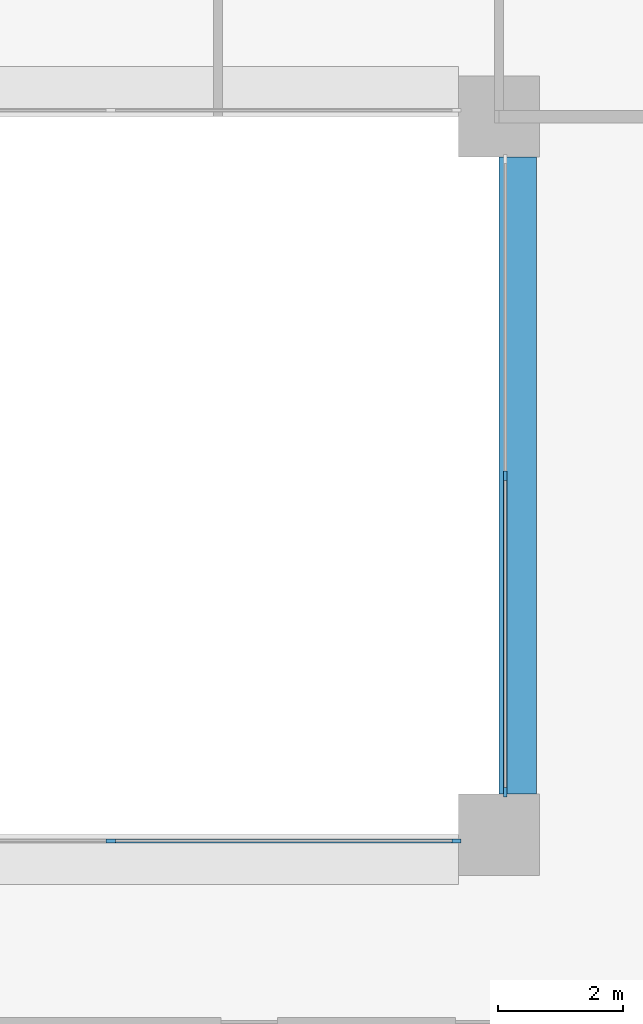
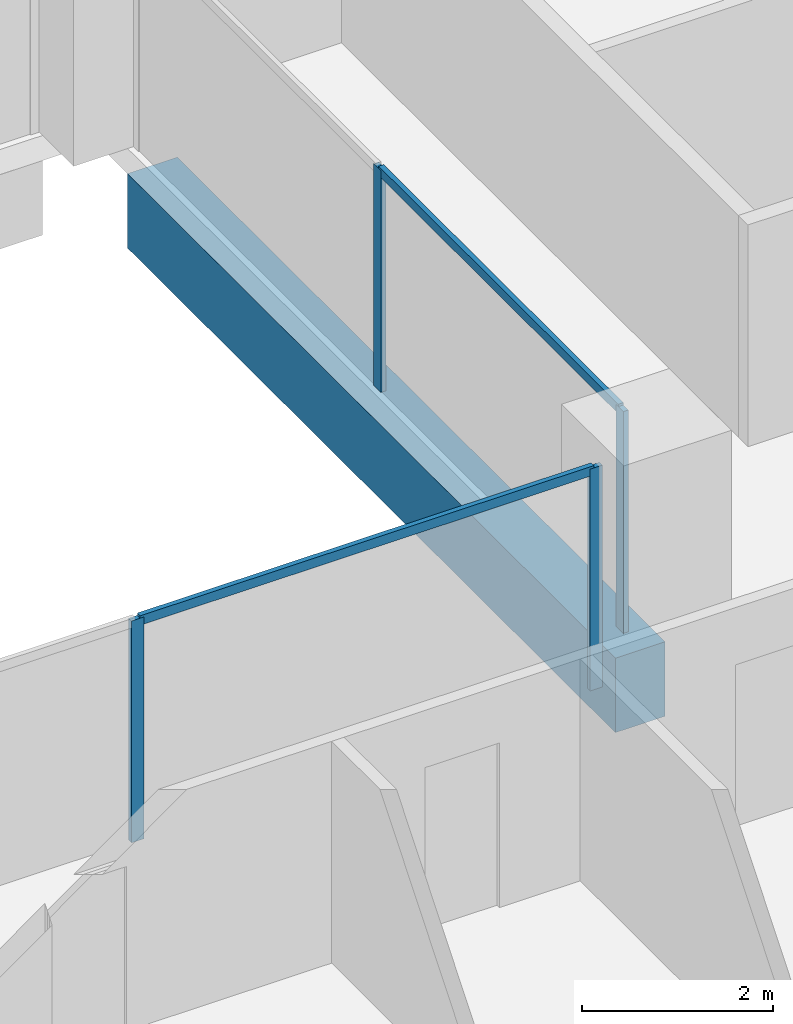
# One storey, part 4 of 17: 6 members, 1 beam, 2 elements without a shape of their own.
"""IFC4 building model written with IfcOpenShell, lengths in metres."""

from ifc_helpers import new_model, si_unit, direction, frame, origin, origin_2d, place, context, subcontext, project, spatial, rectangle, extrude, material, layer, layer_set, material_profile, profile_set, type_object, element, aggregate, save


model = new_model("IFC4")

# Units and contexts
model_context = context("Model", 3, precision=1e-05, world=origin(), true_north=direction((0.0, 1.0)))
body_context = subcontext(model_context, "Body", "Model", "MODEL_VIEW")
ifc_project = project(units=[si_unit("LENGTHUNIT", "METRE"), si_unit("AREAUNIT", "SQUARE_METRE"), si_unit("VOLUMEUNIT", "CUBIC_METRE"), si_unit("PLANEANGLEUNIT", "RADIAN"), si_unit("MASSUNIT", "GRAM", prefix="KILO")], contexts=[model_context])

# Site, building, storey
site_placement = place(None, origin())
site = spatial("IfcSite", under=ifc_project, at=site_placement, CompositionType="ELEMENT")
building_placement = place(site_placement, origin())
building = spatial("IfcBuilding", under=site, at=building_placement, Name="Brigalow Station Residences", CompositionType="ELEMENT")
storey_placement = place(building_placement, frame((0.0, 0.0, 96.14990234375)))
storey = spatial("IfcBuildingStorey", under=building, at=storey_placement, Name="L27", CompositionType="ELEMENT", Elevation=96.14990234375)

# Beam
ifc_material_1 = material(Name="Concrete C65", Category="concrete")
ifc_material_profile_1 = material_profile(ifc_material_1, rectangle(XDim=0.60009765625, YDim=0.949951171875, at=origin_2d()), Name="RC600x950")
ifc_profile_set_1 = profile_set([ifc_material_profile_1], Name="Concrete C65")
beam_type = type_object("IfcBeamType", Name="ATRIUM EDGE GIRDER 600x950 C65", PredefinedType="BEAM", material=ifc_profile_set_1)
beam_placement = place(storey_placement, frame((45.300048828125, 24.64990234375, -0.794921875), z_axis=(0.0, 1.0, 0.0), x_axis=(-1.0, 0.0, 0.0)))
element("IfcBeam", 1, at=beam_placement, inside=storey, type_object=beam_type, Name="ATRIUM EDGE GIRDER 5 L27", PredefinedType="BEAM", context=body_context, shape_type="SweptSolid", body=[
    extrude(rectangle(XDim=0.60009765625, YDim=0.949951171875, at=origin_2d()), origin(), (0.0, 0.0, 1.0), 10.2001953125),
])

# Curtain wall, members
ifc_material_2 = material(Name="Aluminium", Category="aluminium")
ifc_layer = layer(ifc_material_2, 0.14990234375)
ifc_layer_set = layer_set([ifc_layer], Name="ATRIUM FIRE-RATED GLAZING CURTAIN WALL")
curtain_wall_type = type_object("IfcCurtainWallType", Name="ATRIUM FIRE-RATED GLAZING CURTAIN WALL", PredefinedType="NOTDEFINED", material=ifc_layer_set)
curtain_wall_1_placement = place(storey_placement, origin())
curtain_wall_1 = element("IfcCurtainWall", 2, at=curtain_wall_1_placement, inside=storey, type_object=curtain_wall_type, Name="L27/cw/atrium-S", PredefinedType="NOTDEFINED")
ifc_material_3 = material(Name="Aluminium", Category="aluminium")
ifc_material_profile_2 = material_profile(ifc_material_3, rectangle(XDim=0.06005859375, YDim=0.14990234375, at=origin_2d()), Name="ATRIUM FIRE-RATED GLAZING MULLION 60x150")
ifc_profile_set_2 = profile_set([ifc_material_profile_2], Name="Aluminium")
member_type_1 = type_object("IfcMemberType", Name="ATRIUM FIRE-RATED GLAZING MULLION 60x150", PredefinedType="MULLION", material=ifc_profile_set_2)
member_1_placement = place(storey_placement, frame((38.783203125, 23.89990234375, 0.0), z_axis=(0.0, 0.0, 1.0), x_axis=(0.0, 1.0, 0.0)))
member_1 = element("IfcMember", 3, at=member_1_placement, type_object=member_type_1, Name="L27/cw/atrium-S/M02", PredefinedType="MULLION", context=body_context, shape_type="SweptSolid", body=[
    extrude(rectangle(XDim=0.06005859375, YDim=0.14990234375, at=origin_2d()), origin(), (0.0, 0.0, 1.0), 2.830078125),
])
member_2_placement = place(storey_placement, frame((44.320068359375, 23.89990234375, 0.0), z_axis=(0.0, 0.0, 1.0), x_axis=(0.0, 1.0, 0.0)))
member_2 = element("IfcMember", 4, at=member_2_placement, type_object=member_type_1, Name="L27/cw/atrium-S/M03", PredefinedType="MULLION", context=body_context, shape_type="SweptSolid", body=[
    extrude(rectangle(XDim=0.06005859375, YDim=0.14990234375, at=origin_2d()), origin(), (0.0, 0.0, 1.0), 2.830078125),
])

curtain_wall_2_placement = place(storey_placement, origin())
curtain_wall_2 = element("IfcCurtainWall", 5, at=curtain_wall_2_placement, inside=storey, type_object=curtain_wall_type, Name="L27/cw/atrium-E", PredefinedType="NOTDEFINED")
member_3_placement = place(storey_placement, frame((45.10009765625, 24.679931640625, 0.0), z_axis=(0.0, 0.0, 1.0), x_axis=(-1.0, 0.0, 0.0)))
member_3 = element("IfcMember", 6, at=member_3_placement, type_object=member_type_1, Name="L27/cw/atrium-E/M00", PredefinedType="MULLION", context=body_context, shape_type="SweptSolid", body=[
    extrude(rectangle(XDim=0.06005859375, YDim=0.14990234375, at=origin_2d()), origin(), (0.0, 0.0, 1.0), 2.830078125),
])
member_4_placement = place(storey_placement, frame((45.10009765625, 29.75, 0.0), z_axis=(0.0, 0.0, 1.0), x_axis=(-1.0, 0.0, 0.0)))
member_4 = element("IfcMember", 7, at=member_4_placement, type_object=member_type_1, Name="L27/cw/atrium-E/M01", PredefinedType="MULLION", context=body_context, shape_type="SweptSolid", body=[
    extrude(rectangle(XDim=0.06005859375, YDim=0.14990234375, at=origin_2d()), origin(), (0.0, 0.0, 1.0), 2.830078125),
])

# Member
ifc_material_4 = material(Name="Aluminium", Category="aluminium")
ifc_material_profile_3 = material_profile(ifc_material_4, rectangle(XDim=0.06005859375, YDim=0.1201171875, at=origin_2d()), Name="ATRIUM FIRE-RATED GLAZING TRANSOM 60x120")
ifc_profile_set_3 = profile_set([ifc_material_profile_3], Name="Aluminium")
member_type_2 = type_object("IfcMemberType", Name="ATRIUM FIRE-RATED GLAZING TRANSOM 60x120", PredefinedType="USERDEFINED", material=ifc_profile_set_3)
member_5_placement = place(storey_placement, frame((38.813232421875, 23.89990234375, 2.800048828125), z_axis=(1.0, 0.0, 0.0), x_axis=(0.0, 1.0, 0.0)))
member_5 = element("IfcMember", 8, at=member_5_placement, type_object=member_type_2, Name="L27/cw/atrium-S/T02-00", ObjectType="TRANSOM", PredefinedType="USERDEFINED", context=body_context, shape_type="SweptSolid", body=[
    extrude(rectangle(XDim=0.06005859375, YDim=0.1201171875, at=origin_2d()), origin(), (0.0, 0.0, 1.0), 5.476806640625),
])

aggregate(curtain_wall_1, [member_1, member_2, member_5])

member_6_placement = place(storey_placement, frame((45.10009765625, 24.7099609375, 2.800048828125), z_axis=(0.0, 1.0, 0.0), x_axis=(-1.0, 0.0, 0.0)))
member_6 = element("IfcMember", 9, at=member_6_placement, type_object=member_type_2, Name="L27/cw/atrium-E/T00-00", ObjectType="TRANSOM", PredefinedType="USERDEFINED", context=body_context, shape_type="SweptSolid", body=[
    extrude(rectangle(XDim=0.06005859375, YDim=0.1201171875, at=origin_2d()), origin(), (0.0, 0.0, 1.0), 5.010009765625),
])

aggregate(curtain_wall_2, [member_3, member_4, member_6])

save(model, "model.ifc")
